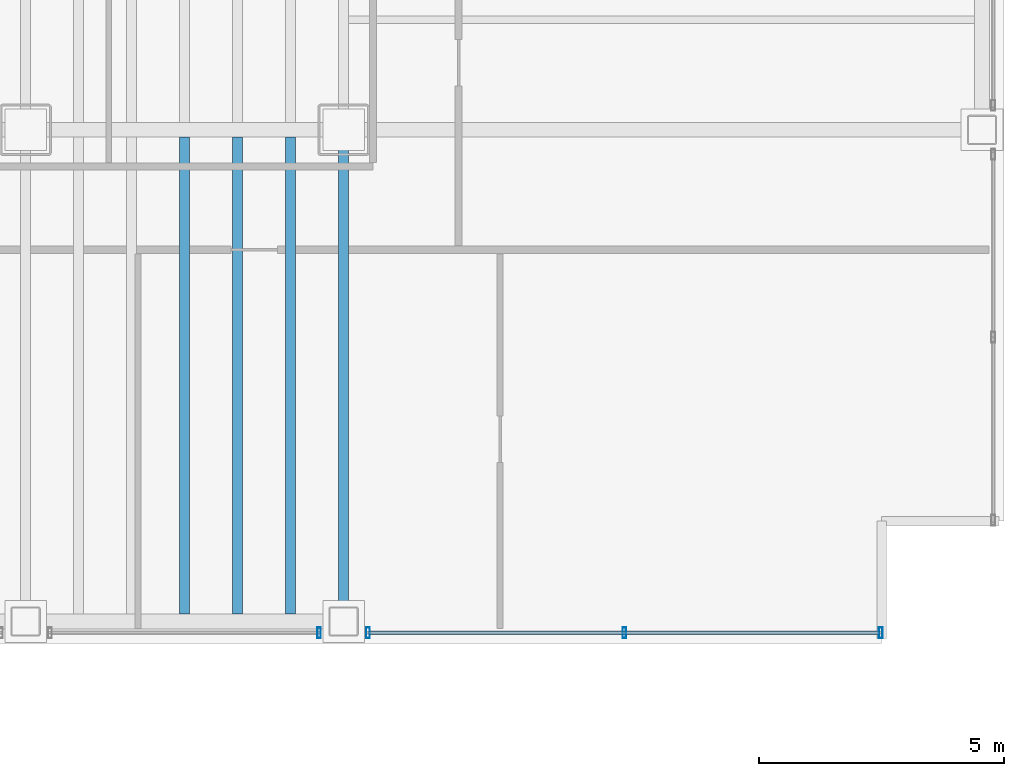
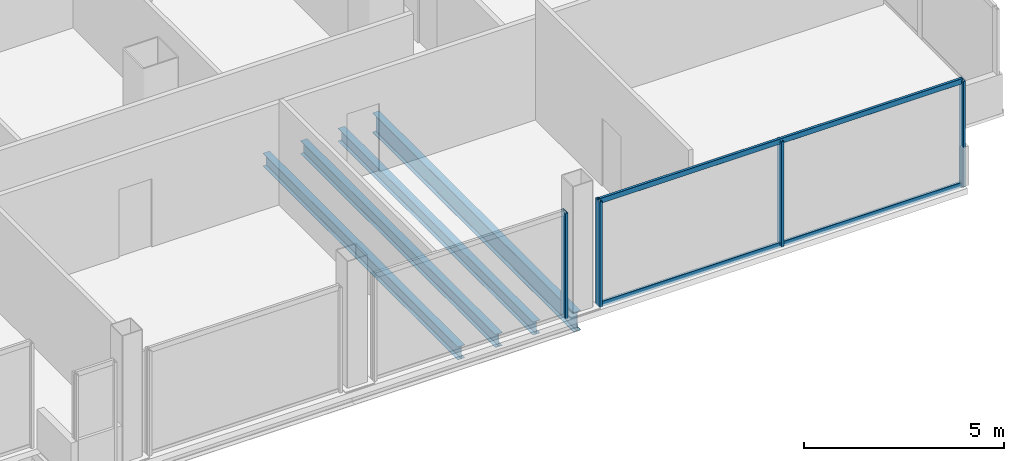
# One storey, part 9 of 21: 6 members, 4 beams, 2 elements without a shape of their own.
"""IFC4 building model written with IfcOpenShell, lengths in metres."""

from ifc_helpers import new_model, si_unit, direction, frame, origin, origin_2d, place, context, subcontext, project, spatial, hollow_rectangle, i_section, extrude, material, material_profile, profile_set, type_object, element, aggregate, save


model = new_model("IFC4")

# Units and contexts
model_context = context("Model", 3, precision=1e-05, world=origin(), true_north=direction((0.0, 1.0)))
body_context = subcontext(model_context, "Body", "Model", "MODEL_VIEW")
ifc_project = project(units=[si_unit("LENGTHUNIT", "METRE"), si_unit("AREAUNIT", "SQUARE_METRE"), si_unit("VOLUMEUNIT", "CUBIC_METRE"), si_unit("PLANEANGLEUNIT", "RADIAN"), si_unit("MASSUNIT", "GRAM", prefix="KILO")], contexts=[model_context])

# Site, building, storey
site_placement = place(None, origin())
site = spatial("IfcSite", under=ifc_project, at=site_placement, CompositionType="ELEMENT")
building_placement = place(site_placement, origin())
building = spatial("IfcBuilding", under=site, at=building_placement, Name="Noeulbin Bourse Tower", CompositionType="ELEMENT")
storey_placement = place(building_placement, frame((0.0, 0.0, 92.800048828125)))
storey = spatial("IfcBuildingStorey", under=building, at=storey_placement, Name="L23", CompositionType="ELEMENT", Elevation=92.800048828125)

# Beams
ifc_material_1 = material(Name="Steel S355", Category="steel")
ifc_material_profile_1 = material_profile(ifc_material_1, i_section(OverallWidth=0.199951171875, OverallDepth=0.60009765625, WebThickness=0.010986328125, FlangeThickness=0.01708984375, FilletRadius=0.02197265625, at=origin_2d()), Name="H-600x200x11x17", Category="LoadBearing")
ifc_profile_set_1 = profile_set([ifc_material_profile_1], Name="Steel S355")
beam_type_1 = type_object("IfcBeamType", Name="BM-GRD-600", PredefinedType="USERDEFINED", material=ifc_profile_set_1)
beam_placement = place(storey_placement, frame((44.0, 9.949951171875, -0.47998046875), z_axis=(0.0, 1.0, 0.0), x_axis=(-1.0, 0.0, 0.0)))
element("IfcBeam", 1, at=beam_placement, inside=storey, type_object=beam_type_1, Name="Tower Primary Girder NS L23-5.1", ObjectType="GIRDER", PredefinedType="USERDEFINED", context=body_context, shape_type="SweptSolid", body=[
    extrude(i_section(OverallWidth=0.199951171875, OverallDepth=0.60009765625, WebThickness=0.010986328125, FlangeThickness=0.01708984375, FilletRadius=0.02197265625, at=origin_2d()), origin(), (0.0, 0.0, 1.0), 10.050048828125),
])
ifc_material_profile_2 = material_profile(ifc_material_1, i_section(OverallWidth=0.199951171875, OverallDepth=0.39990234375, WebThickness=0.008056640625, FlangeThickness=0.012939453125, FilletRadius=0.01611328125, at=origin_2d()), Name="H-400x200x8x13", Category="LoadBearing")
ifc_profile_set_2 = profile_set([ifc_material_profile_2], Name="Steel S355")
beam_type_2 = type_object("IfcBeamType", Name="BM-SEC-400", PredefinedType="BEAM", material=ifc_profile_set_2)
for number, where, z_axis, x_axis, name in (
    (2, (40.75, 10.10009765625, -0.380126953125), (0.0, 1.0, 0.0), (-1.0, 0.0, 0.0), "Tower Composite Joist L23-61"),
    (3, (41.833251953125, 10.10009765625, -0.380126953125), (0.0, 1.0, 0.0), (-1.0, 0.0, 0.0), "Tower Composite Joist L23-64"),
    (4, (42.916748046875, 10.10009765625, -0.380126953125), (0.0, 1.0, 0.0), (-1.0, 0.0, 0.0), "Tower Composite Joist L23-67"),
):
    element("IfcBeam", number, at=place(storey_placement, frame(where, z_axis=z_axis, x_axis=x_axis)), inside=storey, type_object=beam_type_2, Name=name, PredefinedType="BEAM", context=body_context, shape_type="SweptSolid", body=[
        extrude(i_section(OverallWidth=0.199951171875, OverallDepth=0.39990234375, WebThickness=0.008056640625, FlangeThickness=0.012939453125, FilletRadius=0.01611328125, at=origin_2d()), origin(), (0.0, 0.0, 1.0), 9.75),
    ])

# Curtain wall, member
ifc_material_2 = material(Name="Dark Solar-Control Double Glazing", Category="glass")
curtain_wall_type = type_object("IfcCurtainWallType", Name="CW-SYS-2", PredefinedType="NOTDEFINED", material=ifc_material_2)
curtain_wall_1_placement = place(storey_placement, origin())
curtain_wall_1 = element("IfcCurtainWall", 5, at=curtain_wall_1_placement, inside=storey, type_object=curtain_wall_type, Name="Unitised Curtain Wall CW-L23-S3-S3", PredefinedType="NOTDEFINED")
ifc_material_3 = material(Name="Anodised Aluminium 6063-T6", Category="aluminium")
ifc_material_profile_3 = material_profile(ifc_material_3, hollow_rectangle(XDim=0.074951171875, YDim=0.219970703125, WallThickness=0.0048828125, InnerFilletRadius=0.00244140625, OuterFilletRadius=0.0048828125, at=origin_2d()), Name="ALU-MULL-75x220x5", Category="LoadBearing")
ifc_profile_set_3 = profile_set([ifc_material_profile_3], Name="Anodised Aluminium 6063-T6")
member_type_1 = type_object("IfcMemberType", Name="CW-SYS-2-MUL", PredefinedType="MULLION", material=ifc_profile_set_3)
member_1_placement = place(storey_placement, frame((43.5, 9.719970703125, -0.02001953125), z_axis=(0.0, 0.0, 1.0), x_axis=(1.0, 0.0, 0.0)))
member_1 = element("IfcMember", 6, at=member_1_placement, type_object=member_type_1, Name="Curtain Wall Mullion CW-L23-S3-S3-M01", PredefinedType="MULLION", context=body_context, shape_type="SweptSolid", body=[
    extrude(hollow_rectangle(XDim=0.074951171875, YDim=0.219970703125, WallThickness=0.0048828125, InnerFilletRadius=0.00244140625, OuterFilletRadius=0.0048828125, at=origin_2d()), origin(), (0.0, 0.0, 1.0), 3.219970703125),
])
aggregate(curtain_wall_1, [member_1])

# Curtain wall, members
curtain_wall_2_placement = place(storey_placement, origin())
curtain_wall_2 = element("IfcCurtainWall", 7, at=curtain_wall_2_placement, inside=storey, type_object=curtain_wall_type, Name="Unitised Curtain Wall CW-L23-S3-S4", PredefinedType="NOTDEFINED")
member_2_placement = place(storey_placement, frame((44.5, 9.719970703125, -0.02001953125), z_axis=(0.0, 0.0, 1.0), x_axis=(1.0, 0.0, 0.0)))
member_2 = element("IfcMember", 8, at=member_2_placement, type_object=member_type_1, Name="Curtain Wall Mullion CW-L23-S3-S4-M00", PredefinedType="MULLION", context=body_context, shape_type="SweptSolid", body=[
    extrude(hollow_rectangle(XDim=0.074951171875, YDim=0.219970703125, WallThickness=0.0048828125, InnerFilletRadius=0.00244140625, OuterFilletRadius=0.0048828125, at=origin_2d()), origin(), (0.0, 0.0, 1.0), 3.219970703125),
])
member_3_placement = place(storey_placement, frame((49.739990234375, 9.719970703125, -0.02001953125), z_axis=(0.0, 0.0, 1.0), x_axis=(1.0, 0.0, 0.0)))
member_3 = element("IfcMember", 9, at=member_3_placement, type_object=member_type_1, Name="Curtain Wall Mullion CW-L23-S3-S4-M01", PredefinedType="MULLION", context=body_context, shape_type="SweptSolid", body=[
    extrude(hollow_rectangle(XDim=0.074951171875, YDim=0.219970703125, WallThickness=0.0048828125, InnerFilletRadius=0.00244140625, OuterFilletRadius=0.0048828125, at=origin_2d()), origin(), (0.0, 0.0, 1.0), 3.219970703125),
])
member_4_placement = place(storey_placement, frame((54.97998046875, 9.719970703125, -0.02001953125), z_axis=(0.0, 0.0, 1.0), x_axis=(1.0, 0.0, 0.0)))
member_4 = element("IfcMember", 10, at=member_4_placement, type_object=member_type_1, Name="Curtain Wall Mullion CW-L23-S3-S4-M02", PredefinedType="MULLION", context=body_context, shape_type="SweptSolid", body=[
    extrude(hollow_rectangle(XDim=0.074951171875, YDim=0.219970703125, WallThickness=0.0048828125, InnerFilletRadius=0.00244140625, OuterFilletRadius=0.0048828125, at=origin_2d()), origin(), (0.0, 0.0, 1.0), 3.219970703125),
])
ifc_material_profile_4 = material_profile(ifc_material_3, hollow_rectangle(XDim=0.074951171875, YDim=0.159912109375, WallThickness=0.0048828125, InnerFilletRadius=0.00244140625, OuterFilletRadius=0.0048828125, at=origin_2d()), Name="ALU-TRAN-75x160x5", Category="LoadBearing")
ifc_profile_set_4 = profile_set([ifc_material_profile_4], Name="Anodised Aluminium 6063-T6")
member_type_2 = type_object("IfcMemberType", Name="CW-SYS-2-TRN", PredefinedType="USERDEFINED", material=ifc_profile_set_4)
member_5_placement = place(storey_placement, frame((44.510009765625, 9.719970703125, 0.010009765625), z_axis=(1.0, 0.0, 0.0), x_axis=(0.0, 1.0, 0.0)))
member_5 = element("IfcMember", 11, at=member_5_placement, type_object=member_type_2, Name="Curtain Wall Transom CW-L23-S3-S4-T00", ObjectType="TRANSOM", PredefinedType="USERDEFINED", context=body_context, shape_type="SweptSolid", body=[
    extrude(hollow_rectangle(XDim=0.074951171875, YDim=0.159912109375, WallThickness=0.0048828125, InnerFilletRadius=0.00244140625, OuterFilletRadius=0.0048828125, at=origin_2d()), origin(), (0.0, 0.0, 1.0), 10.4599609375),
])
member_6_placement = place(storey_placement, frame((44.510009765625, 9.719970703125, 3.169921875), z_axis=(1.0, 0.0, 0.0), x_axis=(0.0, 1.0, 0.0)))
member_6 = element("IfcMember", 12, at=member_6_placement, type_object=member_type_2, Name="Curtain Wall Transom CW-L23-S3-S4-T01", ObjectType="TRANSOM", PredefinedType="USERDEFINED", context=body_context, shape_type="SweptSolid", body=[
    extrude(hollow_rectangle(XDim=0.074951171875, YDim=0.159912109375, WallThickness=0.0048828125, InnerFilletRadius=0.00244140625, OuterFilletRadius=0.0048828125, at=origin_2d()), origin(), (0.0, 0.0, 1.0), 10.4599609375),
])
aggregate(curtain_wall_2, [member_2, member_3, member_4, member_5, member_6])

save(model, "model.ifc")
